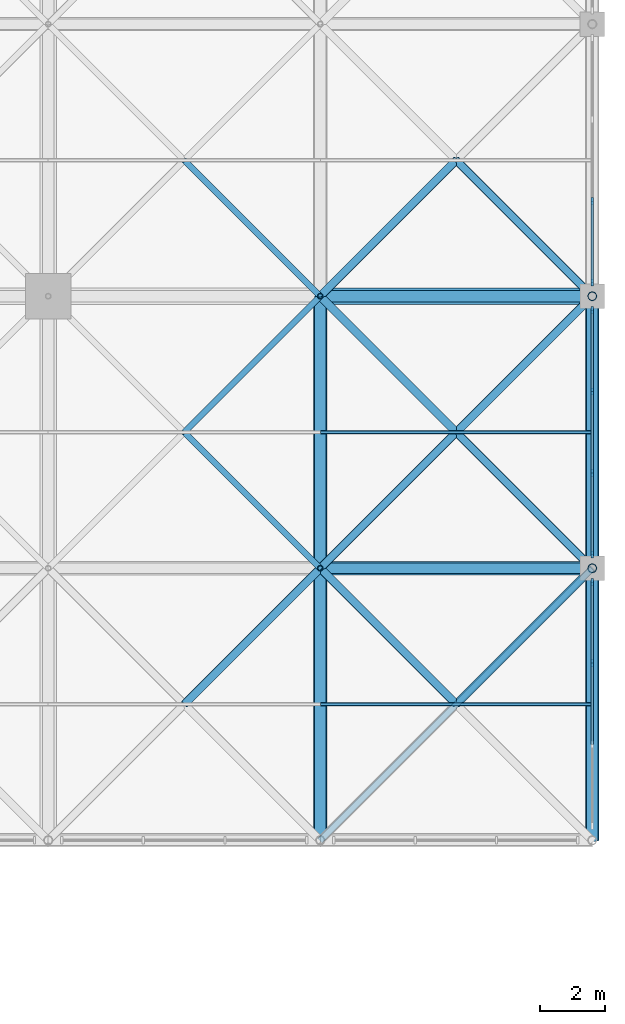
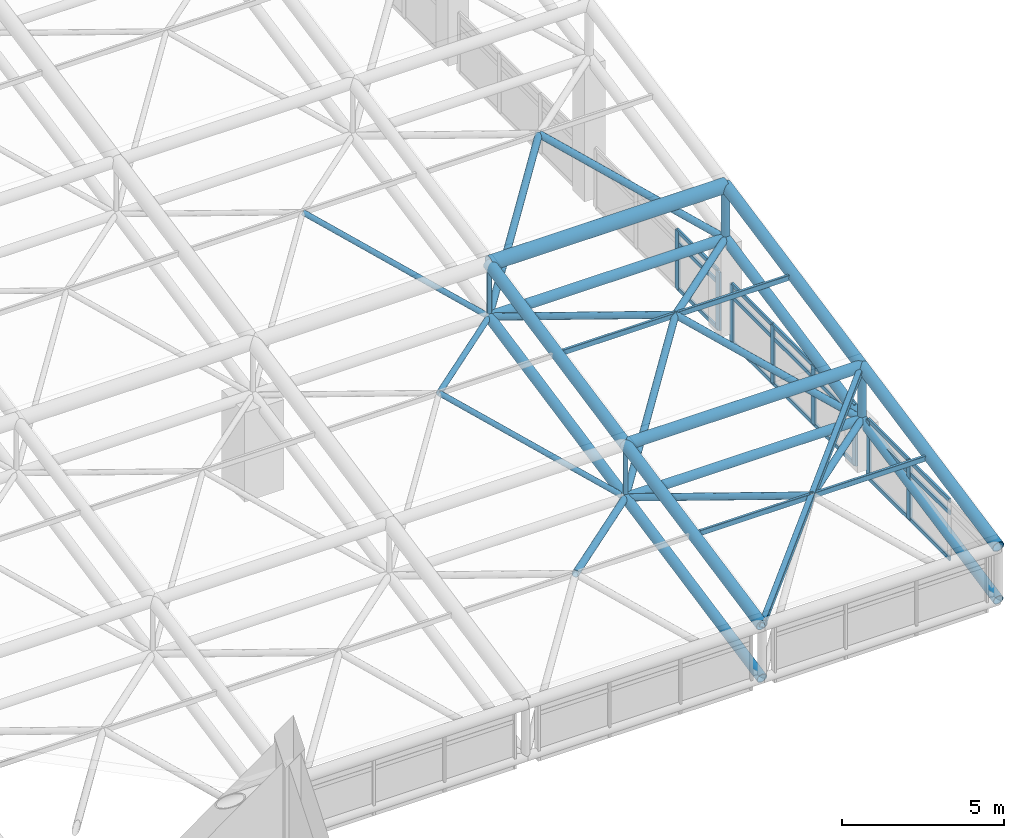
# One storey, part 36 of 110: 57 members, 3 elements without a shape of their own.
"""IFC4 building model written with IfcOpenShell, lengths in metres."""

from ifc_helpers import new_model, si_unit, direction, frame, origin, origin_2d, place, context, subcontext, project, spatial, rectangle, hollow_rectangle, hollow_circle, extrude, material, layer, layer_set, material_profile, profile_set, type_object, element, aggregate, save


model = new_model("IFC4")

# Units and contexts
model_context = context("Model", 3, precision=1e-05, world=origin(), true_north=direction((0.0, 1.0)))
body_context = subcontext(model_context, "Body", "Model", "MODEL_VIEW")
ifc_project = project(units=[si_unit("LENGTHUNIT", "METRE"), si_unit("AREAUNIT", "SQUARE_METRE"), si_unit("VOLUMEUNIT", "CUBIC_METRE"), si_unit("PLANEANGLEUNIT", "RADIAN"), si_unit("MASSUNIT", "GRAM", prefix="KILO")], contexts=[model_context])

# Site, building, storey
site_placement = place(None, origin())
site = spatial("IfcSite", under=ifc_project, at=site_placement, CompositionType="ELEMENT")
building_placement = place(site_placement, origin())
building = spatial("IfcBuilding", under=site, at=building_placement, Name="Qawsi Khor Wholesale Market", CompositionType="ELEMENT")
storey_placement = place(building_placement, frame((0.0, 0.0, 11.39990234375)))
storey = spatial("IfcBuildingStorey", under=building, at=storey_placement, Name="L02", CompositionType="ELEMENT", Elevation=11.39990234375)

# Curtain wall, members
ifc_material_1 = material(Name="Aluminium Anodised Bronze", Category="aluminium")
ifc_layer = layer(ifc_material_1, 0.199951171875, Name="Aluminium Anodised Bronze")
ifc_layer_set = layer_set([ifc_layer], Name="Aluminium Anodised Bronze")
curtain_wall_type = type_object("IfcCurtainWallType", Name="Trading Hall North-Light Curtain Wall CW-03", PredefinedType="NOTDEFINED", material=ifc_layer_set)
curtain_wall_1_placement = place(storey_placement, origin())
curtain_wall_1 = element("IfcCurtainWall", 1, at=curtain_wall_1_placement, inside=storey, type_object=curtain_wall_type, Name="Curtain wall CW-CW-03-L02-130", PredefinedType="NOTDEFINED")
ifc_material_profile_1 = material_profile(ifc_material_1, rectangle(XDim=0.074951171875, YDim=0.219970703125, at=origin_2d()), Name="ALU MULLION 75x220")
ifc_profile_set_1 = profile_set([ifc_material_profile_1], Name="Aluminium Anodised Bronze")
member_type_1 = type_object("IfcMemberType", Name="Curtain Wall Mullion CW-03 ALU MULLION 75x220", PredefinedType="MULLION", material=ifc_profile_set_1)
member_1_placement = place(storey_placement, frame((218.39990234375, 47.467529296875, -0.289794921875), z_axis=(0.0, 0.0, 1.0), x_axis=(1.0, 0.0, 0.0)))
member_1 = element("IfcMember", 2, at=member_1_placement, type_object=member_type_1, Name="Mullion CW-CW-03-L02-130-M02", PredefinedType="MULLION", context=body_context, shape_type="SweptSolid", body=[
    extrude(rectangle(XDim=0.074951171875, YDim=0.219970703125, at=origin_2d()), origin(), (0.0, 0.0, 1.0), 2.18994140625),
])
member_2_placement = place(storey_placement, frame((218.39990234375, 49.9775390625, -0.289794921875), z_axis=(0.0, 0.0, 1.0), x_axis=(1.0, 0.0, 0.0)))
member_2 = element("IfcMember", 3, at=member_2_placement, type_object=member_type_1, Name="Mullion CW-CW-03-L02-130-M03", PredefinedType="MULLION", context=body_context, shape_type="SweptSolid", body=[
    extrude(rectangle(XDim=0.074951171875, YDim=0.219970703125, at=origin_2d()), origin(), (0.0, 0.0, 1.0), 2.18994140625),
])

curtain_wall_2_placement = place(storey_placement, origin())
curtain_wall_2 = element("IfcCurtainWall", 4, at=curtain_wall_2_placement, inside=storey, type_object=curtain_wall_type, Name="Curtain wall CW-CW-03-L02-132", PredefinedType="NOTDEFINED")
member_3_placement = place(storey_placement, frame((218.39990234375, 50.822509765625, -0.289794921875), z_axis=(0.0, 0.0, 1.0), x_axis=(1.0, 0.0, 0.0)))
member_3 = element("IfcMember", 5, at=member_3_placement, type_object=member_type_1, Name="Mullion CW-CW-03-L02-132-M00", PredefinedType="MULLION", context=body_context, shape_type="SweptSolid", body=[
    extrude(rectangle(XDim=0.074951171875, YDim=0.219970703125, at=origin_2d()), origin(), (0.0, 0.0, 1.0), 2.18994140625),
])
member_4_placement = place(storey_placement, frame((218.39990234375, 53.3408203125, -0.289794921875), z_axis=(0.0, 0.0, 1.0), x_axis=(1.0, 0.0, 0.0)))
member_4 = element("IfcMember", 6, at=member_4_placement, type_object=member_type_1, Name="Mullion CW-CW-03-L02-132-M01", PredefinedType="MULLION", context=body_context, shape_type="SweptSolid", body=[
    extrude(rectangle(XDim=0.074951171875, YDim=0.219970703125, at=origin_2d()), origin(), (0.0, 0.0, 1.0), 2.18994140625),
])
member_5_placement = place(storey_placement, frame((218.39990234375, 55.859130859375, -0.289794921875), z_axis=(0.0, 0.0, 1.0), x_axis=(1.0, 0.0, 0.0)))
member_5 = element("IfcMember", 7, at=member_5_placement, type_object=member_type_1, Name="Mullion CW-CW-03-L02-132-M02", PredefinedType="MULLION", context=body_context, shape_type="SweptSolid", body=[
    extrude(rectangle(XDim=0.074951171875, YDim=0.219970703125, at=origin_2d()), origin(), (0.0, 0.0, 1.0), 2.18994140625),
])
member_6_placement = place(storey_placement, frame((218.39990234375, 58.37744140625, -0.289794921875), z_axis=(0.0, 0.0, 1.0), x_axis=(1.0, 0.0, 0.0)))
member_6 = element("IfcMember", 8, at=member_6_placement, type_object=member_type_1, Name="Mullion CW-CW-03-L02-132-M03", PredefinedType="MULLION", context=body_context, shape_type="SweptSolid", body=[
    extrude(rectangle(XDim=0.074951171875, YDim=0.219970703125, at=origin_2d()), origin(), (0.0, 0.0, 1.0), 2.18994140625),
])

curtain_wall_3_placement = place(storey_placement, origin())
curtain_wall_3 = element("IfcCurtainWall", 9, at=curtain_wall_3_placement, inside=storey, type_object=curtain_wall_type, Name="Curtain wall CW-CW-03-L02-134", PredefinedType="NOTDEFINED")
member_7_placement = place(storey_placement, frame((218.39990234375, 59.222412109375, -0.289794921875), z_axis=(0.0, 0.0, 1.0), x_axis=(1.0, 0.0, 0.0)))
member_7 = element("IfcMember", 10, at=member_7_placement, type_object=member_type_1, Name="Mullion CW-CW-03-L02-134-M00", PredefinedType="MULLION", context=body_context, shape_type="SweptSolid", body=[
    extrude(rectangle(XDim=0.074951171875, YDim=0.219970703125, at=origin_2d()), origin(), (0.0, 0.0, 1.0), 2.18994140625),
])
member_8_placement = place(storey_placement, frame((218.39990234375, 61.74072265625, -0.289794921875), z_axis=(0.0, 0.0, 1.0), x_axis=(1.0, 0.0, 0.0)))
member_8 = element("IfcMember", 11, at=member_8_placement, type_object=member_type_1, Name="Mullion CW-CW-03-L02-134-M01", PredefinedType="MULLION", context=body_context, shape_type="SweptSolid", body=[
    extrude(rectangle(XDim=0.074951171875, YDim=0.219970703125, at=origin_2d()), origin(), (0.0, 0.0, 1.0), 2.18994140625),
])

# Member
ifc_material_profile_2 = material_profile(ifc_material_1, rectangle(XDim=0.070068359375, YDim=0.14990234375, at=origin_2d()), Name="ALU TRANSOM 70x150")
ifc_profile_set_2 = profile_set([ifc_material_profile_2], Name="Aluminium Anodised Bronze")
member_type_2 = type_object("IfcMemberType", Name="Curtain Wall Transom CW-03 ALU TRANSOM 70x150", PredefinedType="USERDEFINED", material=ifc_profile_set_2)
member_9_placement = place(storey_placement, frame((218.39990234375, 44.95751953125, -0.27001953125), z_axis=(0.0, 1.0, 0.0), x_axis=(-1.0, 0.0, 0.0)))
member_9 = element("IfcMember", 12, at=member_9_placement, type_object=member_type_2, Name="Transom CW-CW-03-L02-130-T0_01", ObjectType="TRANSOM", PredefinedType="USERDEFINED", context=body_context, shape_type="SweptSolid", body=[
    extrude(rectangle(XDim=0.070068359375, YDim=0.14990234375, at=origin_2d()), origin(), (0.0, 0.0, 1.0), 2.510009765625),
])

member_10_placement = place(storey_placement, frame((218.39990234375, 47.467529296875, -0.27001953125), z_axis=(0.0, 1.0, 0.0), x_axis=(-1.0, 0.0, 0.0)))
member_10 = element("IfcMember", 13, at=member_10_placement, type_object=member_type_2, Name="Transom CW-CW-03-L02-130-T0_02", ObjectType="TRANSOM", PredefinedType="USERDEFINED", context=body_context, shape_type="SweptSolid", body=[
    extrude(rectangle(XDim=0.070068359375, YDim=0.14990234375, at=origin_2d()), origin(), (0.0, 0.0, 1.0), 2.510009765625),
])

member_11_placement = place(storey_placement, frame((218.39990234375, 44.95751953125, 1.4501953125), z_axis=(0.0, 1.0, 0.0), x_axis=(-1.0, 0.0, 0.0)))
member_11 = element("IfcMember", 14, at=member_11_placement, type_object=member_type_2, Name="Transom CW-CW-03-L02-130-T1_01", ObjectType="TRANSOM", PredefinedType="USERDEFINED", context=body_context, shape_type="SweptSolid", body=[
    extrude(rectangle(XDim=0.070068359375, YDim=0.14990234375, at=origin_2d()), origin(), (0.0, 0.0, 1.0), 2.510009765625),
])

member_12_placement = place(storey_placement, frame((218.39990234375, 47.467529296875, 1.4501953125), z_axis=(0.0, 1.0, 0.0), x_axis=(-1.0, 0.0, 0.0)))
member_12 = element("IfcMember", 15, at=member_12_placement, type_object=member_type_2, Name="Transom CW-CW-03-L02-130-T1_02", ObjectType="TRANSOM", PredefinedType="USERDEFINED", context=body_context, shape_type="SweptSolid", body=[
    extrude(rectangle(XDim=0.070068359375, YDim=0.14990234375, at=origin_2d()), origin(), (0.0, 0.0, 1.0), 2.510009765625),
])

member_13_placement = place(storey_placement, frame((218.39990234375, 44.95751953125, 1.900146484375), z_axis=(0.0, 1.0, 0.0), x_axis=(-1.0, 0.0, 0.0)))
member_13 = element("IfcMember", 16, at=member_13_placement, type_object=member_type_2, Name="Transom CW-CW-03-L02-130-T2_01", ObjectType="TRANSOM", PredefinedType="USERDEFINED", context=body_context, shape_type="SweptSolid", body=[
    extrude(rectangle(XDim=0.070068359375, YDim=0.14990234375, at=origin_2d()), origin(), (0.0, 0.0, 1.0), 2.510009765625),
])

member_14_placement = place(storey_placement, frame((218.39990234375, 47.467529296875, 1.900146484375), z_axis=(0.0, 1.0, 0.0), x_axis=(-1.0, 0.0, 0.0)))
member_14 = element("IfcMember", 17, at=member_14_placement, type_object=member_type_2, Name="Transom CW-CW-03-L02-130-T2_02", ObjectType="TRANSOM", PredefinedType="USERDEFINED", context=body_context, shape_type="SweptSolid", body=[
    extrude(rectangle(XDim=0.070068359375, YDim=0.14990234375, at=origin_2d()), origin(), (0.0, 0.0, 1.0), 2.510009765625),
])

aggregate(curtain_wall_1, [member_1, member_2, member_9, member_10, member_11, member_12, member_13, member_14])

member_15_placement = place(storey_placement, frame((218.39990234375, 50.822509765625, -0.27001953125), z_axis=(0.0, 1.0, 0.0), x_axis=(-1.0, 0.0, 0.0)))
member_15 = element("IfcMember", 18, at=member_15_placement, type_object=member_type_2, Name="Transom CW-CW-03-L02-132-T0_00", ObjectType="TRANSOM", PredefinedType="USERDEFINED", context=body_context, shape_type="SweptSolid", body=[
    extrude(rectangle(XDim=0.070068359375, YDim=0.14990234375, at=origin_2d()), origin(), (0.0, 0.0, 1.0), 2.518310546875),
])

member_16_placement = place(storey_placement, frame((218.39990234375, 53.3408203125, -0.27001953125), z_axis=(0.0, 1.0, 0.0), x_axis=(-1.0, 0.0, 0.0)))
member_16 = element("IfcMember", 19, at=member_16_placement, type_object=member_type_2, Name="Transom CW-CW-03-L02-132-T0_01", ObjectType="TRANSOM", PredefinedType="USERDEFINED", context=body_context, shape_type="SweptSolid", body=[
    extrude(rectangle(XDim=0.070068359375, YDim=0.14990234375, at=origin_2d()), origin(), (0.0, 0.0, 1.0), 2.518310546875),
])

member_17_placement = place(storey_placement, frame((218.39990234375, 55.859130859375, -0.27001953125), z_axis=(0.0, 1.0, 0.0), x_axis=(-1.0, 0.0, 0.0)))
member_17 = element("IfcMember", 20, at=member_17_placement, type_object=member_type_2, Name="Transom CW-CW-03-L02-132-T0_02", ObjectType="TRANSOM", PredefinedType="USERDEFINED", context=body_context, shape_type="SweptSolid", body=[
    extrude(rectangle(XDim=0.070068359375, YDim=0.14990234375, at=origin_2d()), origin(), (0.0, 0.0, 1.0), 2.518310546875),
])

member_18_placement = place(storey_placement, frame((218.39990234375, 50.822509765625, 1.4501953125), z_axis=(0.0, 1.0, 0.0), x_axis=(-1.0, 0.0, 0.0)))
member_18 = element("IfcMember", 21, at=member_18_placement, type_object=member_type_2, Name="Transom CW-CW-03-L02-132-T1_00", ObjectType="TRANSOM", PredefinedType="USERDEFINED", context=body_context, shape_type="SweptSolid", body=[
    extrude(rectangle(XDim=0.070068359375, YDim=0.14990234375, at=origin_2d()), origin(), (0.0, 0.0, 1.0), 2.518310546875),
])

member_19_placement = place(storey_placement, frame((218.39990234375, 53.3408203125, 1.4501953125), z_axis=(0.0, 1.0, 0.0), x_axis=(-1.0, 0.0, 0.0)))
member_19 = element("IfcMember", 22, at=member_19_placement, type_object=member_type_2, Name="Transom CW-CW-03-L02-132-T1_01", ObjectType="TRANSOM", PredefinedType="USERDEFINED", context=body_context, shape_type="SweptSolid", body=[
    extrude(rectangle(XDim=0.070068359375, YDim=0.14990234375, at=origin_2d()), origin(), (0.0, 0.0, 1.0), 2.518310546875),
])

member_20_placement = place(storey_placement, frame((218.39990234375, 55.859130859375, 1.4501953125), z_axis=(0.0, 1.0, 0.0), x_axis=(-1.0, 0.0, 0.0)))
member_20 = element("IfcMember", 23, at=member_20_placement, type_object=member_type_2, Name="Transom CW-CW-03-L02-132-T1_02", ObjectType="TRANSOM", PredefinedType="USERDEFINED", context=body_context, shape_type="SweptSolid", body=[
    extrude(rectangle(XDim=0.070068359375, YDim=0.14990234375, at=origin_2d()), origin(), (0.0, 0.0, 1.0), 2.518310546875),
])

member_21_placement = place(storey_placement, frame((218.39990234375, 50.822509765625, 1.900146484375), z_axis=(0.0, 1.0, 0.0), x_axis=(-1.0, 0.0, 0.0)))
member_21 = element("IfcMember", 24, at=member_21_placement, type_object=member_type_2, Name="Transom CW-CW-03-L02-132-T2_00", ObjectType="TRANSOM", PredefinedType="USERDEFINED", context=body_context, shape_type="SweptSolid", body=[
    extrude(rectangle(XDim=0.070068359375, YDim=0.14990234375, at=origin_2d()), origin(), (0.0, 0.0, 1.0), 2.518310546875),
])

member_22_placement = place(storey_placement, frame((218.39990234375, 53.3408203125, 1.900146484375), z_axis=(0.0, 1.0, 0.0), x_axis=(-1.0, 0.0, 0.0)))
member_22 = element("IfcMember", 25, at=member_22_placement, type_object=member_type_2, Name="Transom CW-CW-03-L02-132-T2_01", ObjectType="TRANSOM", PredefinedType="USERDEFINED", context=body_context, shape_type="SweptSolid", body=[
    extrude(rectangle(XDim=0.070068359375, YDim=0.14990234375, at=origin_2d()), origin(), (0.0, 0.0, 1.0), 2.518310546875),
])

member_23_placement = place(storey_placement, frame((218.39990234375, 55.859130859375, 1.900146484375), z_axis=(0.0, 1.0, 0.0), x_axis=(-1.0, 0.0, 0.0)))
member_23 = element("IfcMember", 26, at=member_23_placement, type_object=member_type_2, Name="Transom CW-CW-03-L02-132-T2_02", ObjectType="TRANSOM", PredefinedType="USERDEFINED", context=body_context, shape_type="SweptSolid", body=[
    extrude(rectangle(XDim=0.070068359375, YDim=0.14990234375, at=origin_2d()), origin(), (0.0, 0.0, 1.0), 2.518310546875),
])

aggregate(curtain_wall_2, [member_3, member_4, member_5, member_6, member_15, member_16, member_17, member_18, member_19, member_20, member_21, member_22, member_23])

member_24_placement = place(storey_placement, frame((218.39990234375, 59.222412109375, -0.27001953125), z_axis=(0.0, 1.0, 0.0), x_axis=(-1.0, 0.0, 0.0)))
member_24 = element("IfcMember", 27, at=member_24_placement, type_object=member_type_2, Name="Transom CW-CW-03-L02-134-T0_00", ObjectType="TRANSOM", PredefinedType="USERDEFINED", context=body_context, shape_type="SweptSolid", body=[
    extrude(rectangle(XDim=0.070068359375, YDim=0.14990234375, at=origin_2d()), origin(), (0.0, 0.0, 1.0), 2.518310546875),
])

member_25_placement = place(storey_placement, frame((218.39990234375, 59.222412109375, 1.4501953125), z_axis=(0.0, 1.0, 0.0), x_axis=(-1.0, 0.0, 0.0)))
member_25 = element("IfcMember", 28, at=member_25_placement, type_object=member_type_2, Name="Transom CW-CW-03-L02-134-T1_00", ObjectType="TRANSOM", PredefinedType="USERDEFINED", context=body_context, shape_type="SweptSolid", body=[
    extrude(rectangle(XDim=0.070068359375, YDim=0.14990234375, at=origin_2d()), origin(), (0.0, 0.0, 1.0), 2.518310546875),
])

member_26_placement = place(storey_placement, frame((218.39990234375, 59.222412109375, 1.900146484375), z_axis=(0.0, 1.0, 0.0), x_axis=(-1.0, 0.0, 0.0)))
member_26 = element("IfcMember", 29, at=member_26_placement, type_object=member_type_2, Name="Transom CW-CW-03-L02-134-T2_00", ObjectType="TRANSOM", PredefinedType="USERDEFINED", context=body_context, shape_type="SweptSolid", body=[
    extrude(rectangle(XDim=0.070068359375, YDim=0.14990234375, at=origin_2d()), origin(), (0.0, 0.0, 1.0), 2.518310546875),
])

aggregate(curtain_wall_3, [member_7, member_8, member_24, member_25, member_26])

# Members
ifc_material_2 = material(Name="Steel S355", Category="steel")
ifc_material_profile_3 = material_profile(ifc_material_2, hollow_rectangle(XDim=0.199951171875, YDim=0.199951171875, WallThickness=0.010009765625, InnerFilletRadius=0.010009765625, OuterFilletRadius=0.02001953125, at=origin_2d()), Name="SHS 200x200x10.0")
ifc_profile_set_3 = profile_set([ifc_material_profile_3], Name="Steel S355")
member_type_3 = type_object("IfcMemberType", Name="Roof Plan Brace SHS 200x200x10.0", PredefinedType="BRACE", material=ifc_profile_set_3)
member_27_placement = place(storey_placement, frame((210.0, 42.0, 1.97021484375), z_axis=(0.699975935871, 0.699975935871, 0.14165937457), x_axis=(-0.707106781187, 0.707106781187, 0.0)))
element("IfcMember", 30, at=member_27_placement, inside=storey, type_object=member_type_3, Name="Space frame plan brace EH (25,5)", PredefinedType="BRACE", context=body_context, shape_type="SweptSolid", body=[
    extrude(hollow_rectangle(XDim=0.199951171875, YDim=0.199951171875, WallThickness=0.010009765625, InnerFilletRadius=0.010009765625, OuterFilletRadius=0.02001953125, at=origin_2d()), origin(), (0.0, 0.0, 1.0), 12.000244140625),
])
ifc_material_profile_4 = material_profile(ifc_material_2, hollow_circle(Radius=0.177734375, WallThickness=0.01611328125, at=origin_2d()), Name="CHS 355.6x16.0")
ifc_profile_set_4 = profile_set([ifc_material_profile_4], Name="Steel S355")
member_type_4 = type_object("IfcMemberType", Name="Space-Frame Bottom Chord CHS 355.6x16.0", PredefinedType="CHORD", material=ifc_profile_set_4)
for number, where, z_axis, x_axis, name in (
    (31, (210.0, 42.0, -0.02978515625), (0.0, 0.980129990483, 0.1983562496), (-1.0, 0.0, 0.0), "Space frame bottom chord Y EH (25,5)"),
    (32, (210.0, 50.39990234375, 1.670166015625), (0.0, 0.98013111127, 0.198350711418), (-1.0, 0.0, 0.0), "Space frame bottom chord Y EH (25,6)"),
):
    element("IfcMember", number, at=place(storey_placement, frame(where, z_axis=z_axis, x_axis=x_axis)), inside=storey, type_object=member_type_4, Name=name, PredefinedType="CHORD", context=body_context, shape_type="SweptSolid", body=[
        extrude(hollow_circle(Radius=0.177734375, WallThickness=0.01611328125, at=origin_2d()), origin(), (0.0, 0.0, 1.0), 8.5703125),
    ])
member_28_placement = place(storey_placement, frame((210.0, 58.800048828125, 3.3701171875), z_axis=(1.0, 0.0, 0.0), x_axis=(0.0, 1.0, 0.0)))
element("IfcMember", 33, at=member_28_placement, inside=storey, type_object=member_type_4, Name="Space frame bottom chord X EH (25,7)", PredefinedType="CHORD", context=body_context, shape_type="SweptSolid", body=[
    extrude(hollow_circle(Radius=0.177734375, WallThickness=0.01611328125, at=origin_2d()), origin(), (0.0, 0.0, 1.0), 8.39990234375),
])
for number, where, z_axis, x_axis, name in (
    (34, (218.39990234375, 42.0, -0.02978515625), (0.0, 0.980129990483, 0.1983562496), (-1.0, 0.0, 0.0), "Space frame bottom chord Y EH (26,5)"),
    (35, (218.39990234375, 50.39990234375, 1.670166015625), (0.0, 0.98013111127, 0.198350711418), (-1.0, 0.0, 0.0), "Space frame bottom chord Y EH (26,6)"),
):
    element("IfcMember", number, at=place(storey_placement, frame(where, z_axis=z_axis, x_axis=x_axis)), inside=storey, type_object=member_type_4, Name=name, PredefinedType="CHORD", context=body_context, shape_type="SweptSolid", body=[
        extrude(hollow_circle(Radius=0.177734375, WallThickness=0.01611328125, at=origin_2d()), origin(), (0.0, 0.0, 1.0), 8.5703125),
    ])
ifc_material_profile_5 = material_profile(ifc_material_2, hollow_circle(Radius=0.136474609375, WallThickness=0.012451171875, at=origin_2d()), Name="CHS 273.0x12.5")
ifc_profile_set_5 = profile_set([ifc_material_profile_5], Name="Steel S355")
member_type_5 = type_object("IfcMemberType", Name="Space-Frame Edge Post CHS 273.0x12.5", PredefinedType="POST", material=ifc_profile_set_5)
for number, where, z_axis, x_axis, name in (
    (36, (218.39990234375, 50.39990234375, 1.670166015625), (0.0, 0.0, 1.0), (1.0, 0.0, 0.0), "Space frame post EH (26,6)"),
    (37, (218.39990234375, 58.800048828125, 3.3701171875), (0.0, 0.0, 1.0), (1.0, 0.0, 0.0), "Space frame post EH (26,7)"),
):
    element("IfcMember", number, at=place(storey_placement, frame(where, z_axis=z_axis, x_axis=x_axis)), inside=storey, type_object=member_type_5, Name=name, PredefinedType="POST", context=body_context, shape_type="SweptSolid", body=[
        extrude(hollow_circle(Radius=0.136474609375, WallThickness=0.012451171875, at=origin_2d()), origin(), (0.0, 0.0, 1.0), 2.0),
    ])
ifc_material_profile_6 = material_profile(ifc_material_2, hollow_circle(Radius=0.122314453125, WallThickness=0.012451171875, at=origin_2d()), Name="CHS 244.5x12.5")
ifc_profile_set_6 = profile_set([ifc_material_profile_6], Name="Steel S355")
member_type_6 = type_object("IfcMemberType", Name="Space-Frame Heavy Diagonal CHS 244.5x12.5", PredefinedType="POST", material=ifc_profile_set_6)
for number, where, z_axis, x_axis, name in (
    (38, (210.0, 50.39990234375, 1.670166015625), (-0.694216714393, -0.694216714393, 0.190069216113), (0.707106781187, -0.707106781187, 0.0), "Space frame diagonal EH (24,5)-3"),
    (39, (218.39990234375, 50.39990234375, 1.670166015625), (-0.694216714393, -0.694216714393, 0.190069216113), (0.707106781187, -0.707106781187, 0.0), "Space frame diagonal EH (25,5)-3"),
    (40, (210.0, 50.39990234375, 1.670166015625), (0.694216714393, -0.694216714393, 0.190069216113), (0.707106781187, 0.707106781187, 0.0), "Space frame diagonal EH (25,5)-4"),
):
    element("IfcMember", number, at=place(storey_placement, frame(where, z_axis=z_axis, x_axis=x_axis)), inside=storey, type_object=member_type_6, Name=name, PredefinedType="POST", context=body_context, shape_type="SweptSolid", body=[
        extrude(hollow_circle(Radius=0.122314453125, WallThickness=0.012451171875, at=origin_2d()), origin(), (0.0, 0.0, 1.0), 6.0498046875),
    ])
for number, where, z_axis, x_axis, name in (
    (41, (210.0, 50.39990234375, 1.670166015625), (0.637506899628, 0.637543957519, 0.432576762155), (-0.707127332136, 0.70708622964, 0.0), "Space frame diagonal EH (25,6)-1"),
    (42, (218.39990234375, 50.39990234375, 1.670166015625), (-0.637506899628, 0.637543957519, 0.432576762155), (-0.707127332136, -0.70708622964, 0.0), "Space frame diagonal EH (25,6)-2"),
):
    element("IfcMember", number, at=place(storey_placement, frame(where, z_axis=z_axis, x_axis=x_axis)), inside=storey, type_object=member_type_6, Name=name, PredefinedType="POST", context=body_context, shape_type="SweptSolid", body=[
        extrude(hollow_circle(Radius=0.122314453125, WallThickness=0.012451171875, at=origin_2d()), origin(), (0.0, 0.0, 1.0), 6.588134765625),
    ])
for number, where, z_axis, x_axis, name in (
    (43, (218.39990234375, 58.800048828125, 3.3701171875), (-0.694216714393, -0.694216714393, 0.190069216113), (0.707106781187, -0.707106781187, 0.0), "Space frame diagonal EH (25,6)-3"),
    (44, (210.0, 58.800048828125, 3.3701171875), (0.694216714393, -0.694216714393, 0.190069216113), (0.707106781187, 0.707106781187, 0.0), "Space frame diagonal EH (25,6)-4"),
):
    element("IfcMember", number, at=place(storey_placement, frame(where, z_axis=z_axis, x_axis=x_axis)), inside=storey, type_object=member_type_6, Name=name, PredefinedType="POST", context=body_context, shape_type="SweptSolid", body=[
        extrude(hollow_circle(Radius=0.122314453125, WallThickness=0.012451171875, at=origin_2d()), origin(), (0.0, 0.0, 1.0), 6.0498046875),
    ])
for number, where, z_axis, x_axis, name in (
    (45, (210.0, 58.800048828125, 3.3701171875), (0.637511741089, 0.637511741089, 0.432617105474), (-0.707106781187, 0.707106781187, 0.0), "Space frame diagonal EH (25,7)-1"),
    (46, (218.39990234375, 58.800048828125, 3.3701171875), (-0.637511741089, 0.637511741089, 0.432617105474), (-0.707106781187, -0.707106781187, 0.0), "Space frame diagonal EH (25,7)-2"),
):
    element("IfcMember", number, at=place(storey_placement, frame(where, z_axis=z_axis, x_axis=x_axis)), inside=storey, type_object=member_type_6, Name=name, PredefinedType="POST", context=body_context, shape_type="SweptSolid", body=[
        extrude(hollow_circle(Radius=0.122314453125, WallThickness=0.012451171875, at=origin_2d()), origin(), (0.0, 0.0, 1.0), 6.588134765625),
    ])
ifc_material_profile_7 = material_profile(ifc_material_2, hollow_circle(Radius=0.25390625, WallThickness=0.02490234375, at=origin_2d()), Name="CHS 508.0x25.0")
ifc_profile_set_7 = profile_set([ifc_material_profile_7], Name="Steel S355")
member_type_7 = type_object("IfcMemberType", Name="Space-Frame Main Chord CHS 508.0x25.0", PredefinedType="CHORD", material=ifc_profile_set_7)
member_29_placement = place(storey_placement, frame((210.0, 58.800048828125, 5.3701171875), z_axis=(1.0, 0.0, 0.0), x_axis=(0.0, 1.0, 0.0)))
element("IfcMember", 47, at=member_29_placement, inside=storey, type_object=member_type_7, Name="Space frame top chord X EH (25,7)", PredefinedType="CHORD", context=body_context, shape_type="SweptSolid", body=[
    extrude(hollow_circle(Radius=0.25390625, WallThickness=0.02490234375, at=origin_2d()), origin(), (0.0, 0.0, 1.0), 8.39990234375),
])
ifc_material_profile_8 = material_profile(ifc_material_2, hollow_rectangle(XDim=0.10009765625, YDim=0.199951171875, WallThickness=0.008056640625, InnerFilletRadius=0.008056640625, OuterFilletRadius=0.01611328125, at=origin_2d()), Name="RHS 200x100x8.0")
ifc_profile_set_8 = profile_set([ifc_material_profile_8], Name="Steel S355")
member_type_8 = type_object("IfcMemberType", Name="Space-Frame Purlin RHS 200x100x8.0", PredefinedType="PURLIN", material=ifc_profile_set_8)
for number, where, z_axis, x_axis, name in (
    (48, (210.0, 46.199951171875, 2.820068359375), (1.0, 0.0, 0.0), (0.0, 1.0, 0.0), "Space frame purlin EH (25,5)"),
    (49, (210.0, 54.60009765625, 4.52001953125), (1.0, 0.0, 0.0), (0.0, 1.0, 0.0), "Space frame purlin EH (25,6)"),
):
    element("IfcMember", number, at=place(storey_placement, frame(where, z_axis=z_axis, x_axis=x_axis)), inside=storey, type_object=member_type_8, Name=name, PredefinedType="PURLIN", context=body_context, shape_type="SweptSolid", body=[
        extrude(hollow_rectangle(XDim=0.10009765625, YDim=0.199951171875, WallThickness=0.008056640625, InnerFilletRadius=0.008056640625, OuterFilletRadius=0.01611328125, at=origin_2d()), origin(), (0.0, 0.0, 1.0), 8.39990234375),
    ])
ifc_material_profile_9 = material_profile(ifc_material_2, hollow_circle(Radius=0.161865234375, WallThickness=0.01611328125, at=origin_2d()), Name="CHS 323.9x16.0")
ifc_profile_set_9 = profile_set([ifc_material_profile_9], Name="Steel S355")
member_type_9 = type_object("IfcMemberType", Name="Space-Frame Secondary Chord CHS 323.9x16.0", PredefinedType="CHORD", material=ifc_profile_set_9)
member_30_placement = place(storey_placement, frame((210.0, 50.39990234375, 1.670166015625), z_axis=(1.0, 0.0, 0.0), x_axis=(0.0, 1.0, 0.0)))
element("IfcMember", 50, at=member_30_placement, inside=storey, type_object=member_type_9, Name="Space frame bottom chord X EH (25,6)", PredefinedType="CHORD", context=body_context, shape_type="SweptSolid", body=[
    extrude(hollow_circle(Radius=0.161865234375, WallThickness=0.01611328125, at=origin_2d()), origin(), (0.0, 0.0, 1.0), 8.39990234375),
])
ifc_material_profile_10 = material_profile(ifc_material_2, hollow_circle(Radius=0.096923828125, WallThickness=0.008056640625, at=origin_2d()), Name="CHS 193.7x8.0")
ifc_profile_set_10 = profile_set([ifc_material_profile_10], Name="Steel S355")
member_type_10 = type_object("IfcMemberType", Name="Space-Frame Secondary Diagonal CHS 193.7x8.0", PredefinedType="RAFTER", material=ifc_profile_set_10)
member_31_placement = place(storey_placement, frame((210.0, 50.39990234375, 1.670166015625), z_axis=(-0.637506899628, 0.637543957519, 0.432576762155), x_axis=(-0.707127332136, -0.70708622964, 0.0)))
element("IfcMember", 51, at=member_31_placement, inside=storey, type_object=member_type_10, Name="Space frame diagonal EH (24,6)-2", PredefinedType="RAFTER", context=body_context, shape_type="SweptSolid", body=[
    extrude(hollow_circle(Radius=0.096923828125, WallThickness=0.008056640625, at=origin_2d()), origin(), (0.0, 0.0, 1.0), 6.588134765625),
])
member_32_placement = place(storey_placement, frame((210.0, 58.800048828125, 3.3701171875), z_axis=(-0.694216714393, -0.694216714393, 0.190069216113), x_axis=(0.707106781187, -0.707106781187, 0.0)))
element("IfcMember", 52, at=member_32_placement, inside=storey, type_object=member_type_10, Name="Space frame diagonal EH (24,6)-3", PredefinedType="RAFTER", context=body_context, shape_type="SweptSolid", body=[
    extrude(hollow_circle(Radius=0.096923828125, WallThickness=0.008056640625, at=origin_2d()), origin(), (0.0, 0.0, 1.0), 6.0498046875),
])
member_33_placement = place(storey_placement, frame((210.0, 58.800048828125, 3.3701171875), z_axis=(-0.637511741089, 0.637511741089, 0.432617105474), x_axis=(-0.707106781187, -0.707106781187, 0.0)))
element("IfcMember", 53, at=member_33_placement, inside=storey, type_object=member_type_10, Name="Space frame diagonal EH (24,7)-2", PredefinedType="RAFTER", context=body_context, shape_type="SweptSolid", body=[
    extrude(hollow_circle(Radius=0.096923828125, WallThickness=0.008056640625, at=origin_2d()), origin(), (0.0, 0.0, 1.0), 6.588134765625),
])
ifc_material_profile_11 = material_profile(ifc_material_2, hollow_circle(Radius=0.203125, WallThickness=0.02001953125, at=origin_2d()), Name="CHS 406.4x20.0")
ifc_profile_set_11 = profile_set([ifc_material_profile_11], Name="Steel S355")
member_type_11 = type_object("IfcMemberType", Name="Space-Frame Top Chord CHS 406.4x20.0", PredefinedType="CHORD", material=ifc_profile_set_11)
member_34_placement = place(storey_placement, frame((210.0, 42.0, 1.97021484375), z_axis=(0.0, 0.980129990483, 0.1983562496), x_axis=(-1.0, 0.0, 0.0)))
element("IfcMember", 54, at=member_34_placement, inside=storey, type_object=member_type_11, Name="Space frame top chord Y EH (25,5)", PredefinedType="CHORD", context=body_context, shape_type="SweptSolid", body=[
    extrude(hollow_circle(Radius=0.203125, WallThickness=0.02001953125, at=origin_2d()), origin(), (0.0, 0.0, 1.0), 8.5703125),
])
member_35_placement = place(storey_placement, frame((210.0, 50.39990234375, 3.670166015625), z_axis=(1.0, 0.0, 0.0), x_axis=(0.0, 1.0, 0.0)))
element("IfcMember", 55, at=member_35_placement, inside=storey, type_object=member_type_11, Name="Space frame top chord X EH (25,6)", PredefinedType="CHORD", context=body_context, shape_type="SweptSolid", body=[
    extrude(hollow_circle(Radius=0.203125, WallThickness=0.02001953125, at=origin_2d()), origin(), (0.0, 0.0, 1.0), 8.39990234375),
])
for number, where, z_axis, x_axis, name in (
    (56, (210.0, 50.39990234375, 3.670166015625), (0.0, 0.98013111127, 0.198350711418), (-1.0, 0.0, 0.0), "Space frame top chord Y EH (25,6)"),
    (57, (218.39990234375, 42.0, 1.97021484375), (0.0, 0.980129990483, 0.1983562496), (-1.0, 0.0, 0.0), "Space frame top chord Y EH (26,5)"),
    (58, (218.39990234375, 50.39990234375, 3.670166015625), (0.0, 0.98013111127, 0.198350711418), (-1.0, 0.0, 0.0), "Space frame top chord Y EH (26,6)"),
):
    element("IfcMember", number, at=place(storey_placement, frame(where, z_axis=z_axis, x_axis=x_axis)), inside=storey, type_object=member_type_11, Name=name, PredefinedType="CHORD", context=body_context, shape_type="SweptSolid", body=[
        extrude(hollow_circle(Radius=0.203125, WallThickness=0.02001953125, at=origin_2d()), origin(), (0.0, 0.0, 1.0), 8.5703125),
    ])
ifc_material_profile_12 = material_profile(ifc_material_2, hollow_circle(Radius=0.084228515625, WallThickness=0.008056640625, at=origin_2d()), Name="CHS 168.3x8.0")
ifc_profile_set_12 = profile_set([ifc_material_profile_12], Name="Steel S355")
member_type_12 = type_object("IfcMemberType", Name="Space-Frame Vertical Strut CHS 168.3x8.0", PredefinedType="STRUT", material=ifc_profile_set_12)
for number, where, z_axis, x_axis, name in (
    (59, (210.0, 50.39990234375, 1.670166015625), (0.0, 0.0, 1.0), (1.0, 0.0, 0.0), "Space frame post EH (25,6)"),
    (60, (210.0, 58.800048828125, 3.3701171875), (0.0, 0.0, 1.0), (1.0, 0.0, 0.0), "Space frame post EH (25,7)"),
):
    element("IfcMember", number, at=place(storey_placement, frame(where, z_axis=z_axis, x_axis=x_axis)), inside=storey, type_object=member_type_12, Name=name, PredefinedType="STRUT", context=body_context, shape_type="SweptSolid", body=[
        extrude(hollow_circle(Radius=0.084228515625, WallThickness=0.008056640625, at=origin_2d()), origin(), (0.0, 0.0, 1.0), 2.0),
    ])

save(model, "model.ifc")
